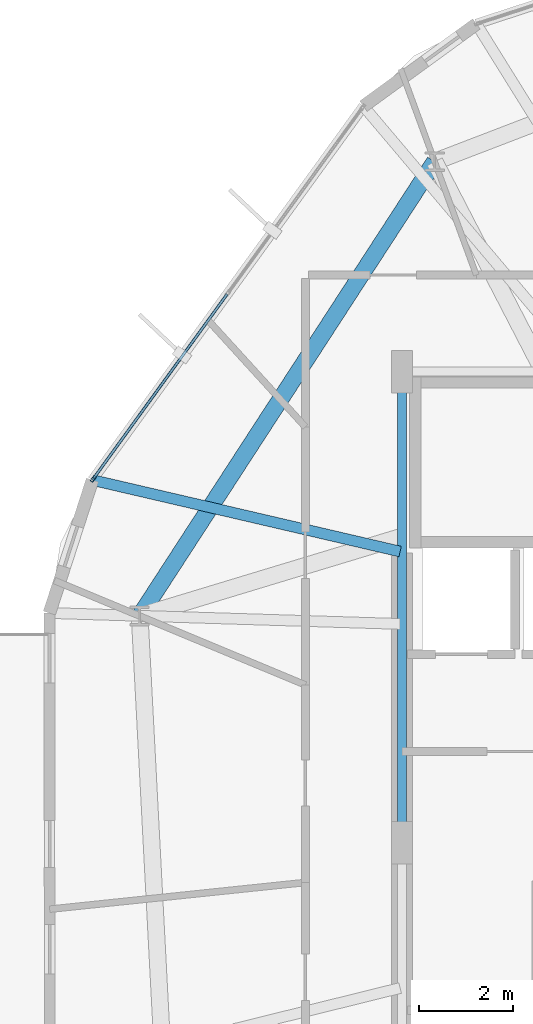
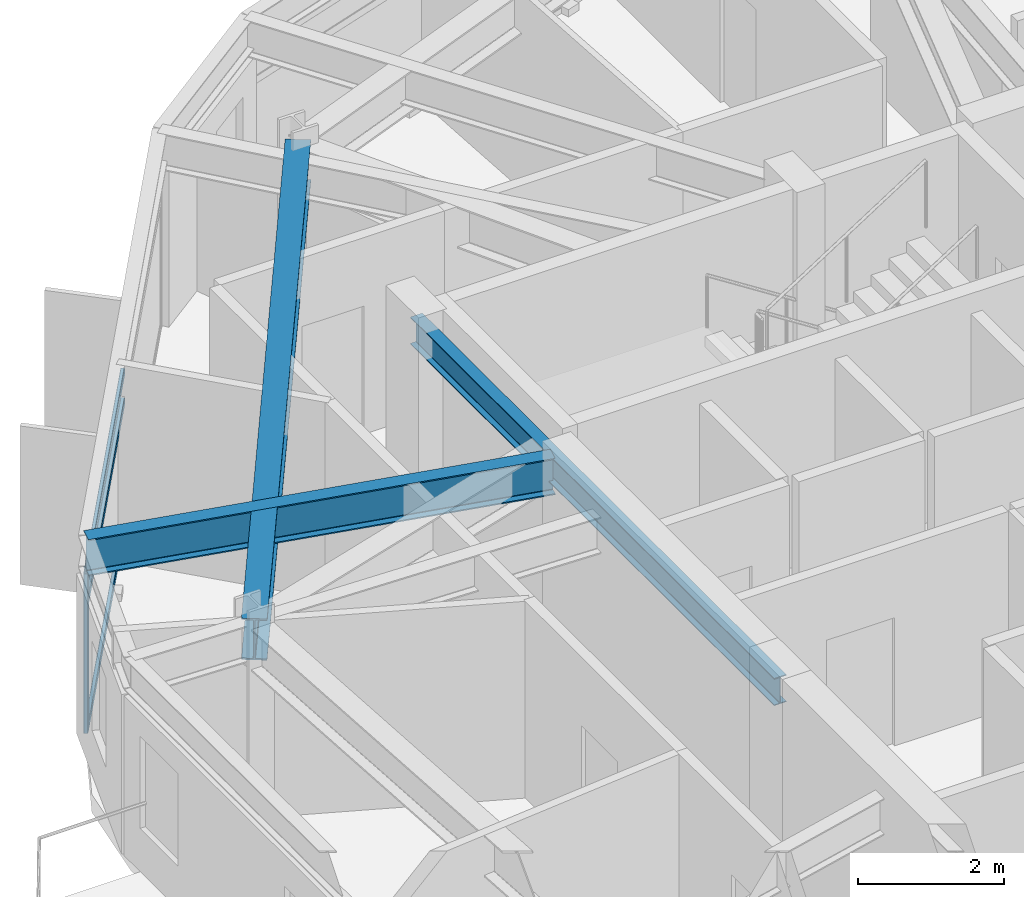
# One storey, part 9 of 31: 4 members, 3 beams, 1 element without a shape of its own.
"""IFC4 building model written with IfcOpenShell, lengths in metres."""

from ifc_helpers import new_model, si_unit, direction, frame, origin, origin_2d, place, context, subcontext, project, spatial, hollow_rectangle, i_section, extrude, material, layer, layer_set, material_profile, profile_set, type_object, element, aggregate, save


model = new_model("IFC4")

# Units and contexts
model_context = context("Model", 3, precision=1e-05, world=origin(), true_north=direction((0.0, 1.0)))
body_context = subcontext(model_context, "Body", "Model", "MODEL_VIEW")
ifc_project = project(units=[si_unit("LENGTHUNIT", "METRE"), si_unit("AREAUNIT", "SQUARE_METRE"), si_unit("VOLUMEUNIT", "CUBIC_METRE"), si_unit("PLANEANGLEUNIT", "RADIAN"), si_unit("MASSUNIT", "GRAM", prefix="KILO")], contexts=[model_context])

# Site, building, storey
site_placement = place(None, origin())
site = spatial("IfcSite", under=ifc_project, at=site_placement, CompositionType="ELEMENT")
building_placement = place(site_placement, origin())
building = spatial("IfcBuilding", under=site, at=building_placement, Name="Soratama Intermodal Tower", CompositionType="ELEMENT")
storey_placement = place(building_placement, frame((0.0, 0.0, 230.199951171875)))
storey = spatial("IfcBuildingStorey", under=building, at=storey_placement, Name="L58", CompositionType="ELEMENT", Elevation=230.199951171875)

# Beams
ifc_material_1 = material(Name="Structural steel ASTM A992 Grade 50", Category="steel")
ifc_material_profile_1 = material_profile(ifc_material_1, i_section(OverallWidth=0.19091796875, OverallDepth=0.4599609375, WebThickness=0.010009765625, FlangeThickness=0.01611328125, FilletRadius=0.010986328125, at=origin_2d()), Name="W18X55")
ifc_profile_set_1 = profile_set([ifc_material_profile_1], Name="Structural steel ASTM A992 Grade 50")
beam_type_1 = type_object("IfcBeamType", Name="BM-FLR-W18X55", PredefinedType="BEAM", material=ifc_profile_set_1)
beam_1_placement = place(storey_placement, frame((32.60009765625, 35.0, 3.070068359375), z_axis=(0.0, -1.0, 0.0), x_axis=(1.0, 0.0, 0.0)))
element("IfcBeam", 1, at=beam_1_placement, inside=storey, type_object=beam_type_1, Name="BM-L58-CRING-08", PredefinedType="BEAM", context=body_context, shape_type="SweptSolid", body=[
    extrude(i_section(OverallWidth=0.19091796875, OverallDepth=0.4599609375, WebThickness=0.010009765625, FlangeThickness=0.01611328125, FilletRadius=0.010986328125, at=origin_2d()), origin(), (0.0, 0.0, 1.0), 10.0),
])
ifc_material_2 = material(Name="Structural steel ASTM A992 Grade 50", Category="steel")
ifc_material_profile_2 = material_profile(ifc_material_2, i_section(OverallWidth=0.35498046875, OverallDepth=0.695068359375, WebThickness=0.015380859375, FlangeThickness=0.02490234375, FilletRadius=0.01611328125, at=origin_2d()), Name="W27X146")
ifc_profile_set_2 = profile_set([ifc_material_profile_2], Name="Structural steel ASTM A992 Grade 50")
beam_type_2 = type_object("IfcBeamType", Name="BM-RING-W27X146", PredefinedType="BEAM", material=ifc_profile_set_2)
beam_2_placement = place(storey_placement, frame((33.294921875, 39.455078125, 2.95263671875), z_axis=(-0.544637453764, -0.83867159482, 0.0), x_axis=(0.83867159482, -0.544637453764, 0.0)))
element("IfcBeam", 2, at=beam_2_placement, inside=storey, type_object=beam_type_2, Name="BM-L58-RING-04", PredefinedType="BEAM", context=body_context, shape_type="SweptSolid", body=[
    extrude(i_section(OverallWidth=0.35498046875, OverallDepth=0.695068359375, WebThickness=0.015380859375, FlangeThickness=0.02490234375, FilletRadius=0.01611328125, at=origin_2d()), origin(), (0.0, 0.0, 1.0), 11.49560546875),
])
ifc_material_3 = material(Name="Structural steel ASTM A992 Grade 50", Category="steel")
ifc_material_profile_3 = material_profile(ifc_material_3, i_section(OverallWidth=0.22900390625, OverallDepth=0.612060546875, WebThickness=0.011962890625, FlangeThickness=0.01953125, FilletRadius=0.012939453125, at=origin_2d()), Name="W24X84")
ifc_profile_set_3 = profile_set([ifc_material_profile_3], Name="Structural steel ASTM A992 Grade 50")
beam_type_3 = type_object("IfcBeamType", Name="BM-TIE-W24X84", PredefinedType="BEAM", material=ifc_profile_set_3)
beam_3_placement = place(storey_placement, frame((32.56103515625, 31.181884765625, 2.994140625), z_axis=(-0.974018490856, 0.226468495537, 0.0), x_axis=(-0.226468495537, -0.974018490856, 0.0)))
element("IfcBeam", 3, at=beam_3_placement, inside=storey, type_object=beam_type_3, Name="BM-L58-TIE1-03", PredefinedType="BEAM", context=body_context, shape_type="SweptSolid", body=[
    extrude(i_section(OverallWidth=0.22900390625, OverallDepth=0.612060546875, WebThickness=0.011962890625, FlangeThickness=0.01953125, FilletRadius=0.012939453125, at=origin_2d()), origin(), (0.0, 0.0, 1.0), 6.703125),
])

# Curtain wall, members
ifc_material_4 = material(Name="Double-glazed aluminium curtain wall", Category="aluminium")
ifc_layer = layer(ifc_material_4, 0.159912109375)
ifc_layer_set = layer_set([ifc_layer], Name="Double-glazed aluminium curtain wall")
curtain_wall_type = type_object("IfcCurtainWallType", Name="CW-SYS-5", PredefinedType="NOTDEFINED", material=ifc_layer_set)
curtain_wall_placement = place(storey_placement, origin())
curtain_wall = element("IfcCurtainWall", 4, at=curtain_wall_placement, inside=storey, type_object=curtain_wall_type, Name="L58 Faceted Curtain Wall F03", PredefinedType="NOTDEFINED")
ifc_material_5 = material(Name="Anodised aluminium AA 6063-T6", Category="aluminium")
ifc_material_profile_4 = material_profile(ifc_material_5, hollow_rectangle(XDim=0.06494140625, YDim=0.139892578125, WallThickness=0.0048828125, InnerFilletRadius=0.0048828125, OuterFilletRadius=0.010009765625, at=origin_2d()), Name="CWM140X65X5")
ifc_profile_set_4 = profile_set([ifc_material_profile_4], Name="Anodised aluminium AA 6063-T6")
member_type_1 = type_object("IfcMemberType", Name="MT-CWM-5", PredefinedType="MULLION", material=ifc_profile_set_4)
member_1_placement = place(storey_placement, frame((26.04931640625, 32.724609375, 0.0), z_axis=(0.0, 0.0, 1.0), x_axis=(0.80963287542, -0.586936629492, 0.0)))
member_1 = element("IfcMember", 5, at=member_1_placement, type_object=member_type_1, Name="CW-5 mullion 3", PredefinedType="MULLION", context=body_context, shape_type="SweptSolid", body=[
    extrude(hollow_rectangle(XDim=0.06494140625, YDim=0.139892578125, WallThickness=0.0048828125, InnerFilletRadius=0.0048828125, OuterFilletRadius=0.010009765625, at=origin_2d()), origin(), (0.0, 0.0, 1.0), 2.678955078125),
])
ifc_material_6 = material(Name="Anodised aluminium AA 6063-T6", Category="aluminium")
ifc_material_profile_5 = material_profile(ifc_material_6, hollow_rectangle(XDim=0.06005859375, YDim=0.1298828125, WallThickness=0.0048828125, InnerFilletRadius=0.0048828125, OuterFilletRadius=0.010009765625, at=origin_2d()), Name="CWT130X60X5")
ifc_profile_set_5 = profile_set([ifc_material_profile_5], Name="Anodised aluminium AA 6063-T6")
member_type_2 = type_object("IfcMemberType", Name="TT-CWT-2", PredefinedType="USERDEFINED", material=ifc_profile_set_5)
member_2_placement = place(storey_placement, frame((28.889404296875, 36.642333984375, 0.030029296875), z_axis=(-0.586948436467, -0.80962431592, 0.0), x_axis=(0.80962431592, -0.586948436467, 0.0)))
member_2 = element("IfcMember", 6, at=member_2_placement, type_object=member_type_2, Name="CW-5 transom 2.1", ObjectType="TRANSOM", PredefinedType="USERDEFINED", context=body_context, shape_type="SweptSolid", body=[
    extrude(hollow_rectangle(XDim=0.06005859375, YDim=0.1298828125, WallThickness=0.0048828125, InnerFilletRadius=0.0048828125, OuterFilletRadius=0.010009765625, at=origin_2d()), origin(), (0.0, 0.0, 1.0), 4.808837890625),
])
member_3_placement = place(storey_placement, frame((28.889404296875, 36.642333984375, 2.150146484375), z_axis=(-0.586948436467, -0.80962431592, 0.0), x_axis=(0.80962431592, -0.586948436467, 0.0)))
member_3 = element("IfcMember", 7, at=member_3_placement, type_object=member_type_2, Name="CW-5 transom 2.2", ObjectType="TRANSOM", PredefinedType="USERDEFINED", context=body_context, shape_type="SweptSolid", body=[
    extrude(hollow_rectangle(XDim=0.06005859375, YDim=0.1298828125, WallThickness=0.0048828125, InnerFilletRadius=0.0048828125, OuterFilletRadius=0.010009765625, at=origin_2d()), origin(), (0.0, 0.0, 1.0), 4.808837890625),
])
member_4_placement = place(storey_placement, frame((28.889404296875, 36.642333984375, 2.649169921875), z_axis=(-0.586948436467, -0.80962431592, 0.0), x_axis=(0.80962431592, -0.586948436467, 0.0)))
member_4 = element("IfcMember", 8, at=member_4_placement, type_object=member_type_2, Name="CW-5 transom 2.3", ObjectType="TRANSOM", PredefinedType="USERDEFINED", context=body_context, shape_type="SweptSolid", body=[
    extrude(hollow_rectangle(XDim=0.06005859375, YDim=0.1298828125, WallThickness=0.0048828125, InnerFilletRadius=0.0048828125, OuterFilletRadius=0.010009765625, at=origin_2d()), origin(), (0.0, 0.0, 1.0), 4.808837890625),
])
aggregate(curtain_wall, [member_1, member_2, member_3, member_4])

save(model, "model.ifc")
